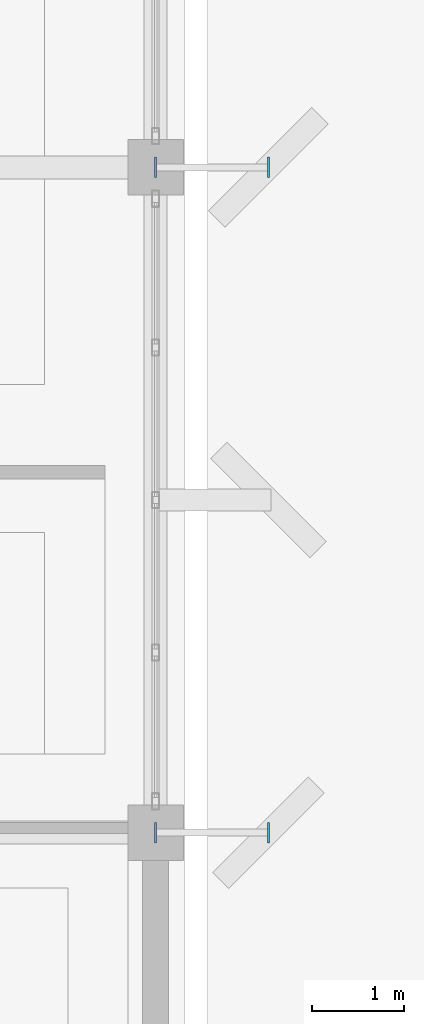
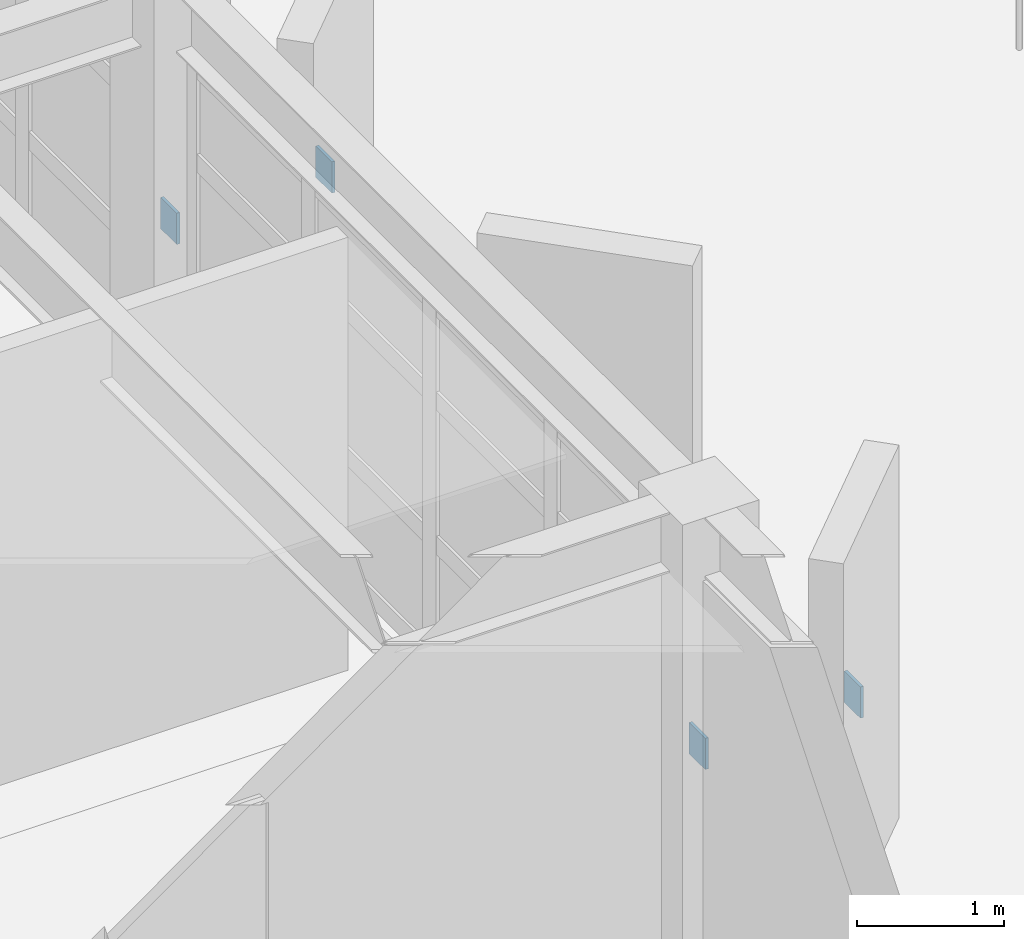
# One storey, part 17 of 19: 4 discrete accessories.
"""IFC4 building model written with IfcOpenShell, lengths in metres."""

from ifc_helpers import new_model, si_unit, direction, frame, origin, origin_2d, place, context, subcontext, project, spatial, rectangle, extrude, material, type_object, element, save


model = new_model("IFC4")

# Units and contexts
model_context = context("Model", 3, precision=1e-05, world=origin(), true_north=direction((0.0, 1.0)))
body_context = subcontext(model_context, "Body", "Model", "MODEL_VIEW")
ifc_project = project(units=[si_unit("LENGTHUNIT", "METRE"), si_unit("AREAUNIT", "SQUARE_METRE"), si_unit("VOLUMEUNIT", "CUBIC_METRE"), si_unit("PLANEANGLEUNIT", "RADIAN"), si_unit("MASSUNIT", "GRAM", prefix="KILO")], contexts=[model_context])

# Site, building, storey
site_placement = place(None, origin())
site = spatial("IfcSite", under=ifc_project, at=site_placement, CompositionType="ELEMENT")
building_placement = place(site_placement, origin())
building = spatial("IfcBuilding", under=site, at=building_placement, Name="Kandorven Conservatory and Botanical Research Centre", CompositionType="ELEMENT")
storey_placement = place(building_placement, frame((0.0, 0.0, 28.800048828125)))
storey = spatial("IfcBuildingStorey", under=building, at=storey_placement, Name="L07", CompositionType="ELEMENT", Elevation=28.800048828125)

# Discrete accessories
ifc_material = material(Name="Steel S355 (IS 2062 E350)", Category="steel")
discrete_accessory_type = type_object("IfcDiscreteAccessoryType", Name="SteelGussetPlate", PredefinedType="BRACKET", material=ifc_material)
for number, where, z_axis, x_axis, name in (
    (1, (34.800048828125, 13.199951171875, 1.3701171875), (0.0, 0.0, 1.0), (1.0, 0.0, 0.0), "Welded steel strut end-plate GUS-01 #81A"),
    (2, (36.02001953125, 13.199951171875, 1.3701171875), (0.0, 0.0, 1.0), (1.0, 0.0, 0.0), "Welded steel strut end-plate GUS-01 #81B"),
    (3, (34.800048828125, 20.39990234375, 1.3701171875), (0.0, 0.0, 1.0), (1.0, 0.0, 0.0), "Welded steel strut end-plate GUS-01 #83A"),
    (4, (36.02001953125, 20.39990234375, 1.3701171875), (0.0, 0.0, 1.0), (1.0, 0.0, 0.0), "Welded steel strut end-plate GUS-01 #83B"),
):
    element("IfcDiscreteAccessory", number, at=place(storey_placement, frame(where, z_axis=z_axis, x_axis=x_axis)), inside=storey, type_object=discrete_accessory_type, Name=name, PredefinedType="BRACKET", context=body_context, shape_type="SweptSolid", body=[
        extrude(rectangle(XDim=0.02392578125, YDim=0.219970703125, at=origin_2d()), origin(), (0.0, 0.0, 1.0), 0.260009765625),
    ])

save(model, "model.ifc")
